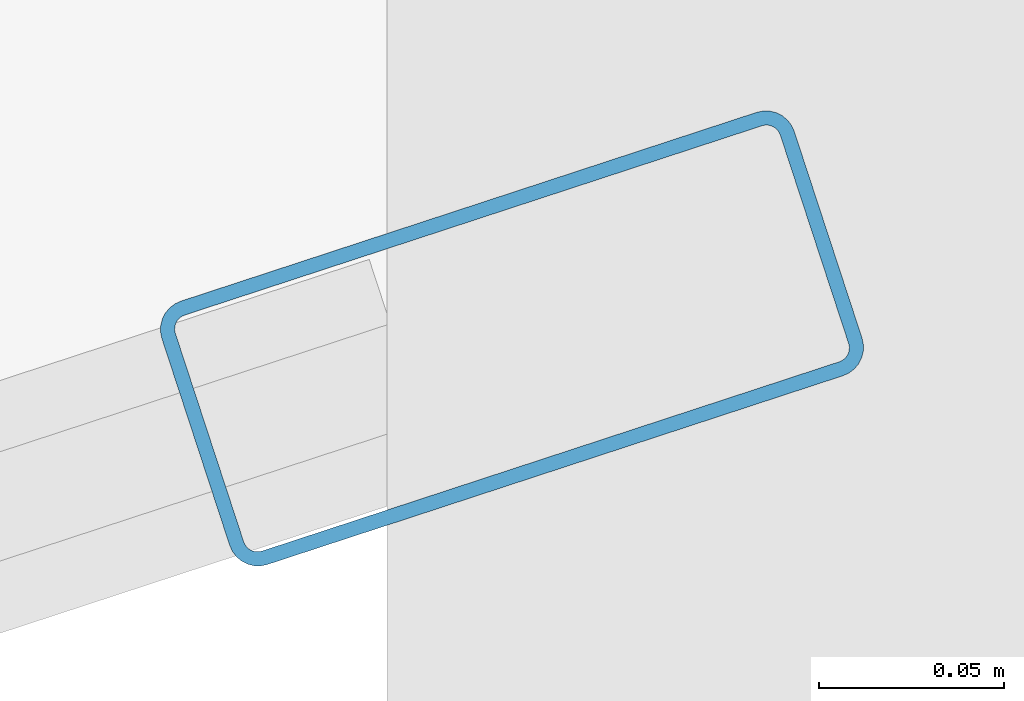
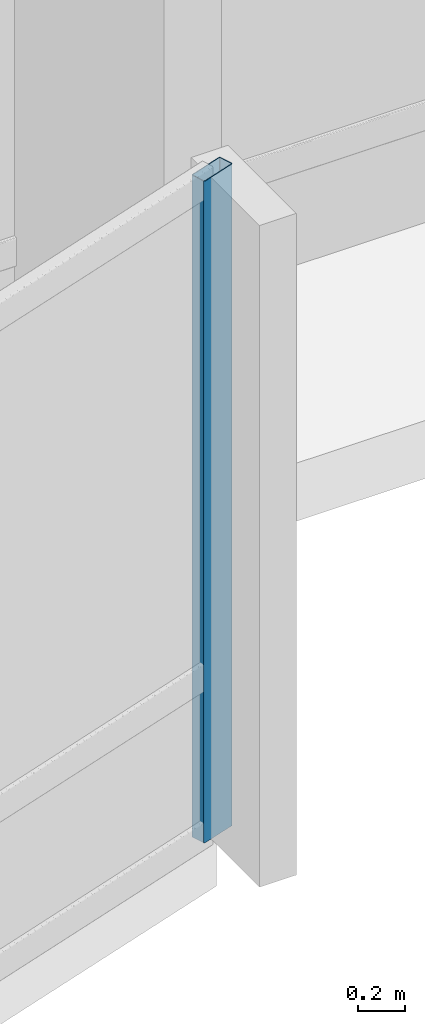
# One storey, part 10 of 34: 1 member, 1 element without a shape of its own.
"""IFC4 building model written with IfcOpenShell, lengths in metres."""

from ifc_helpers import new_model, si_unit, direction, frame, origin, origin_2d, place, context, subcontext, project, spatial, hollow_rectangle, extrude, material, layer, layer_set, material_profile, profile_set, type_object, element, aggregate, save


model = new_model("IFC4")

# Units and contexts
model_context = context("Model", 3, precision=1e-05, world=origin(), true_north=direction((0.0, 1.0)))
body_context = subcontext(model_context, "Body", "Model", "MODEL_VIEW")
ifc_project = project(units=[si_unit("LENGTHUNIT", "METRE"), si_unit("AREAUNIT", "SQUARE_METRE"), si_unit("VOLUMEUNIT", "CUBIC_METRE"), si_unit("PLANEANGLEUNIT", "RADIAN"), si_unit("MASSUNIT", "GRAM", prefix="KILO")], contexts=[model_context])

# Site, building, storey
site_placement = place(None, origin())
site = spatial("IfcSite", under=ifc_project, at=site_placement, CompositionType="ELEMENT")
building_placement = place(site_placement, origin())
building = spatial("IfcBuilding", under=site, at=building_placement, Name="Solvaryn Broadcast Tower", CompositionType="ELEMENT")
storey_placement = place(building_placement, frame((0.0, 0.0, 50.800048828125)))
storey = spatial("IfcBuildingStorey", under=building, at=storey_placement, Name="L11", CompositionType="ELEMENT", Elevation=50.800048828125)

# Curtain wall, member
ifc_material_1 = material(Name="Aluminium and Terracotta Unitised Curtain Wall", Category="masonry")
ifc_layer = layer(ifc_material_1, 0.199951171875)
ifc_layer_set = layer_set([ifc_layer], Name="CW-SYS2-LOWMID")
curtain_wall_type = type_object("IfcCurtainWallType", Name="CW-SYS2-LOWMID", PredefinedType="NOTDEFINED", material=ifc_layer_set)
curtain_wall_placement = place(storey_placement, origin())
curtain_wall = element("IfcCurtainWall", 1, at=curtain_wall_placement, inside=storey, type_object=curtain_wall_type, Name="L11 Curtain Wall DR4", PredefinedType="NOTDEFINED")
ifc_material_2 = material(Name="Anodised Aluminium 6063-T6", Category="aluminium")
ifc_material_profile = material_profile(ifc_material_2, hollow_rectangle(XDim=0.074951171875, YDim=0.179931640625, WallThickness=0.00390625, InnerFilletRadius=0.00390625, OuterFilletRadius=0.008056640625, at=origin_2d()))
ifc_profile_set = profile_set([ifc_material_profile], Name="Anodised Aluminium 6063-T6")
member_type = type_object("IfcMemberType", Name="CW-MUL-180", PredefinedType="MULLION", material=ifc_profile_set)
member_placement = place(storey_placement, frame((45.987548828125, 5.90673828125, 0.0), z_axis=(0.0, 0.0, 1.0), x_axis=(-0.311594044587, 0.950215318429, 0.0)))
member = element("IfcMember", 2, at=member_placement, type_object=member_type, Name="CWS2 mullion 2", PredefinedType="MULLION", context=body_context, shape_type="SweptSolid", body=[
    extrude(hollow_rectangle(XDim=0.074951171875, YDim=0.179931640625, WallThickness=0.00390625, InnerFilletRadius=0.00390625, OuterFilletRadius=0.008056640625, at=origin_2d()), origin(), (0.0, 0.0, 1.0), 3.419921875),
])
aggregate(curtain_wall, [member])

save(model, "model.ifc")
